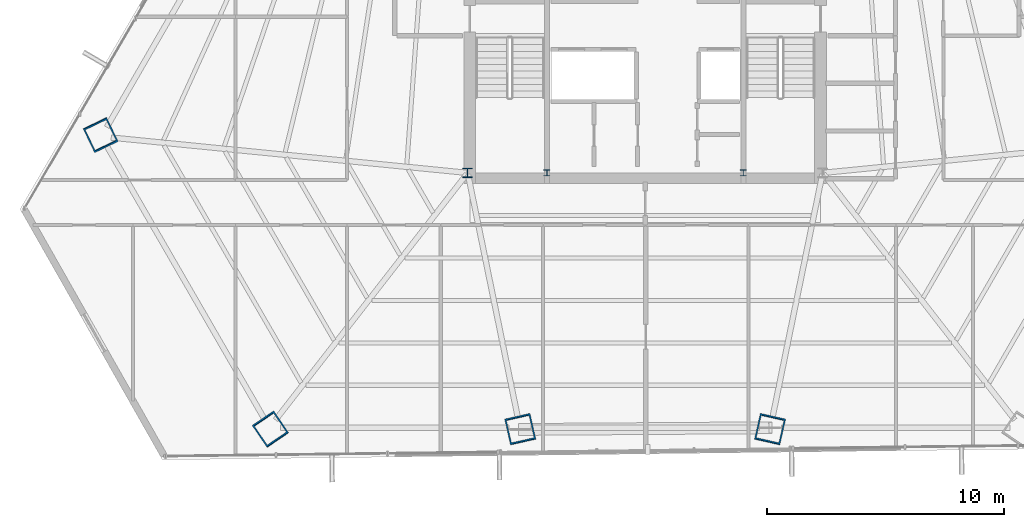
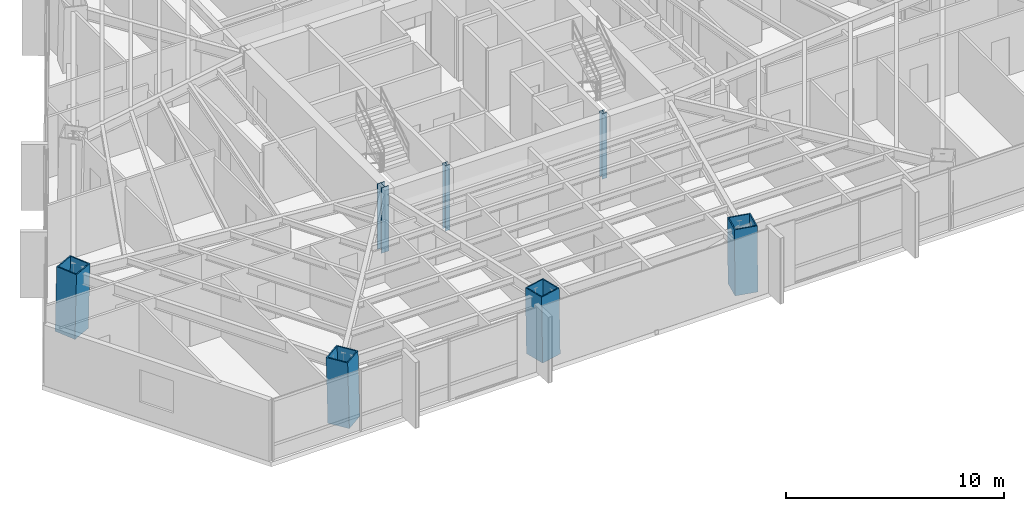
# One storey, part 1 of 37: 7 columns.
"""IFC4 building model written with IfcOpenShell, lengths in metres."""

from ifc_helpers import new_model, si_unit, direction, frame, origin, origin_2d, place, context, subcontext, project, spatial, hollow_rectangle, i_section, extrude, source, transform, mapped, material, material_profile, profile_set, type_object, type_shapes, element, save


model = new_model("IFC4")

# Units and contexts
model_context = context("Model", 3, precision=1e-05, world=origin(), true_north=direction((0.0, 1.0)))
body_context = subcontext(model_context, "Body", "Model", "MODEL_VIEW")
ifc_project = project(units=[si_unit("LENGTHUNIT", "METRE"), si_unit("AREAUNIT", "SQUARE_METRE"), si_unit("VOLUMEUNIT", "CUBIC_METRE"), si_unit("PLANEANGLEUNIT", "RADIAN"), si_unit("MASSUNIT", "GRAM", prefix="KILO")], contexts=[model_context])

# Site, building, storey
site_placement = place(None, origin())
site = spatial("IfcSite", under=ifc_project, at=site_placement, CompositionType="ELEMENT")
building_placement = place(site_placement, origin())
building = spatial("IfcBuilding", under=site, at=building_placement, Name="Caelisora Broadcast Tower", CompositionType="ELEMENT")
storey_placement = place(building_placement, frame((0.0, 0.0, 116.35009765625)))
storey = spatial("IfcBuildingStorey", under=building, at=storey_placement, Name="L30", CompositionType="ELEMENT", Elevation=116.35009765625)

# Columns
ifc_material_1 = material(Name="Steel Grade 350 (AS/NZS 3679.1)", Category="steel")
ifc_material_profile_1 = material_profile(ifc_material_1, i_section(OverallWidth=0.256103515625, OverallDepth=0.260009765625, WebThickness=0.010498046875, FlangeThickness=0.017333984375, at=origin_2d()), Name="Steel Grade 350 (AS/NZS 3679.1)")
ifc_profile_set_1 = profile_set([ifc_material_profile_1], Name="Steel Grade 350 (AS/NZS 3679.1)")
column_type_1 = type_object("IfcColumnType", Name="CC05", PredefinedType="COLUMN", material=ifc_profile_set_1)
shared_shape_1 = source(origin(), body_context, "Body", "SweptSolid", [
    extrude(i_section(OverallWidth=0.256103515625, OverallDepth=0.260009765625, WebThickness=0.010498046875, FlangeThickness=0.017333984375, at=origin_2d()), origin(), (0.0, 0.0, 1.0), 3.64990234375),
])
type_shapes(column_type_1, [shared_shape_1])
for number, where, z_axis, x_axis, name in (
    (1, (33.85009765625, 17.39990234375, 0.0), (0.0, 0.0, 1.0), (1.0, 0.0, 0.0), "L30 column CC05"),
    (2, (42.14990234375, 17.39990234375, 0.0), (0.0, 0.0, 1.0), (1.0, 0.0, 0.0), "L30 column CC05"),
):
    element("IfcColumn", number, at=place(storey_placement, frame(where, z_axis=z_axis, x_axis=x_axis)), inside=storey, type_object=column_type_1, Name=name, PredefinedType="COLUMN", context=body_context, shape_type="MappedRepresentation", body=[
        mapped(shared_shape_1, transform((0.0, 0.0, 0.0), scale=1.0)),
    ])
ifc_material_2 = material(Name="Steel Grade 350 (AS/NZS 3679.2)", Category="steel")
ifc_material_profile_2 = material_profile(ifc_material_2, i_section(OverallWidth=0.39990234375, OverallDepth=0.39990234375, WebThickness=0.02001953125, FlangeThickness=0.031982421875, at=origin_2d()), Name="Steel Grade 350 (AS/NZS 3679.2)")
ifc_profile_set_2 = profile_set([ifc_material_profile_2], Name="Steel Grade 350 (AS/NZS 3679.2)")
column_type_2 = type_object("IfcColumnType", Name="CC02", PredefinedType="COLUMN", material=ifc_profile_set_2)
shared_shape_2 = source(origin(), body_context, "Body", "SweptSolid", [
    extrude(i_section(OverallWidth=0.39990234375, OverallDepth=0.39990234375, WebThickness=0.02001953125, FlangeThickness=0.031982421875, at=origin_2d()), origin(), (0.0, 0.0, 1.0), 3.64990234375),
])
type_shapes(column_type_2, [shared_shape_2])
column_placement = place(storey_placement, frame((30.5, 17.39990234375, 0.0), z_axis=(0.0, 0.0, 1.0), x_axis=(1.0, 0.0, 0.0)))
element("IfcColumn", 3, at=column_placement, inside=storey, type_object=column_type_2, Name="L30 column CC02", PredefinedType="COLUMN", context=body_context, shape_type="MappedRepresentation", body=[
    mapped(shared_shape_2, transform((0.0, 0.0, 0.0), scale=1.0)),
])
ifc_material_3 = material(Name="Steel Grade 350 L15 (AS/NZS 3678)", Category="steel")
ifc_material_profile_3 = material_profile(ifc_material_3, hollow_rectangle(XDim=1.10009765625, YDim=1.10009765625, WallThickness=0.06005859375, at=origin_2d()), Name="Steel Grade 350 L15 (AS/NZS 3678)")
ifc_profile_set_3 = profile_set([ifc_material_profile_3], Name="Steel Grade 350 L15 (AS/NZS 3678)")
column_type_3 = type_object("IfcColumnType", Name="MC03", PredefinedType="COLUMN", material=ifc_profile_set_3)
shared_shape_3 = source(origin(), body_context, "Body", "SweptSolid", [
    extrude(hollow_rectangle(XDim=1.10009765625, YDim=1.10009765625, WallThickness=0.06005859375, at=origin_2d()), origin(), (0.0, 0.0, 1.0), 3.65087890625),
])
for number, where, z_axis, x_axis, name in (
    (4, (14.98095703125, 19.013916015625, 0.0), (0.010364932146, -0.021532310652, 0.999714423113), (0.901042175273, 0.433731481886, 0.0), "L30 column MC03"),
    (5, (22.17236328125, 6.557861328125, 0.0), (-0.013440967269, 0.019793663242, 0.999713734673), (-0.827290216258, -0.561774775229, 0.0), "L30 column MC03"),
):
    element("IfcColumn", number, at=place(storey_placement, frame(where, z_axis=z_axis, x_axis=x_axis)), inside=storey, type_object=column_type_3, Name=name, PredefinedType="COLUMN", context=body_context, shape_type="MappedRepresentation", body=[
        mapped(shared_shape_3, transform((0.0, 0.0, 0.0), scale=1.0)),
    ])
shared_shape_4 = source(origin(), body_context, "Body", "SweptSolid", [
    extrude(hollow_rectangle(XDim=1.10009765625, YDim=1.10009765625, WallThickness=0.06005859375, at=origin_2d()), origin(), (0.0, 0.0, 1.0), 3.650634765625),
])
type_shapes(column_type_3, [shared_shape_3, shared_shape_4])
for number, where, z_axis, x_axis, name in (
    (6, (32.72412109375, 6.557861328125, 0.0), (-0.004480682206, 0.019795252729, 0.999794014513), (-0.975326687046, -0.220766513622, 0.0), "L30 column MC03"),
    (7, (43.27587890625, 6.557861328125, 0.0), (0.004480682206, 0.019795252729, 0.999794014513), (-0.975326687046, 0.220766513622, 0.0), "L30 column MC03"),
):
    element("IfcColumn", number, at=place(storey_placement, frame(where, z_axis=z_axis, x_axis=x_axis)), inside=storey, type_object=column_type_3, Name=name, PredefinedType="COLUMN", context=body_context, shape_type="MappedRepresentation", body=[
        mapped(shared_shape_4, transform((0.0, 0.0, 0.0), scale=1.0)),
    ])

save(model, "model.ifc")
